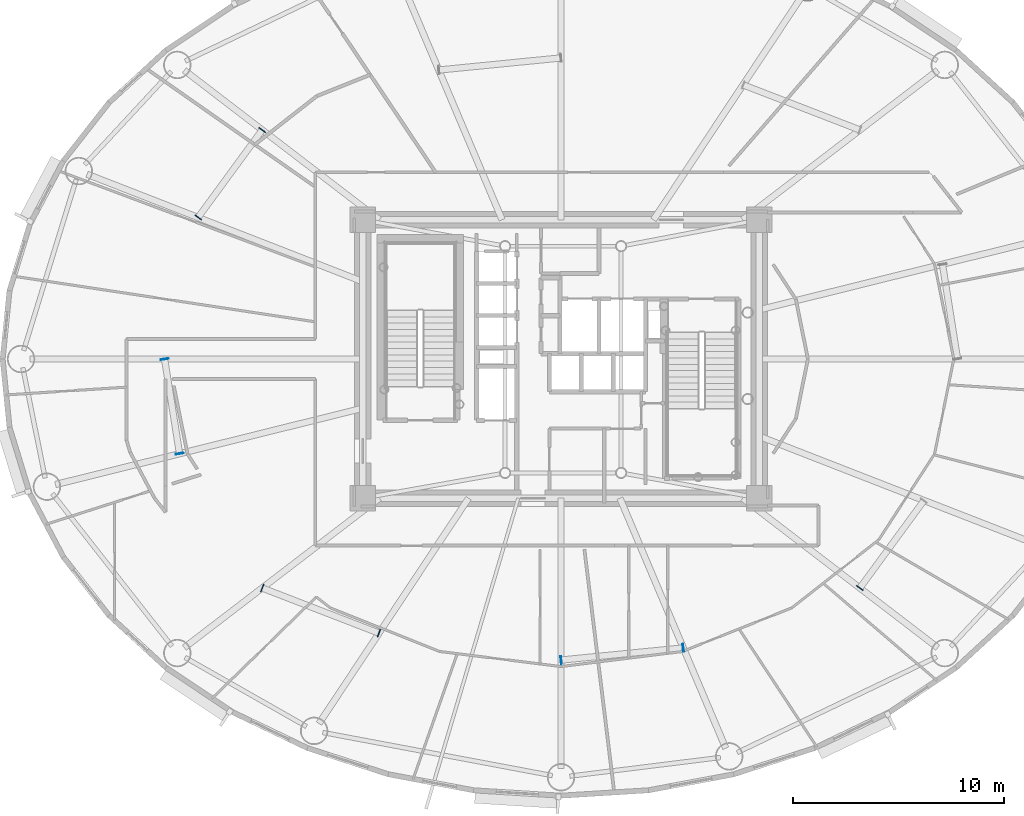
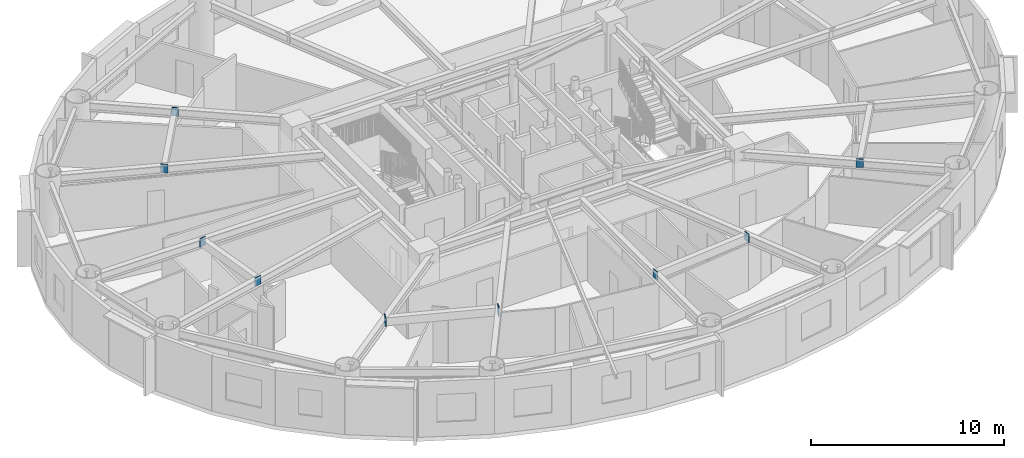
# One storey, part 8 of 21: 9 plates.
"""IFC4 building model written with IfcOpenShell, lengths in metres."""

from ifc_helpers import new_model, si_unit, direction, frame, origin, origin_2d, place, context, subcontext, project, spatial, rectangle, extrude, source, transform, mapped, material, layer, layer_set, type_object, element, save


model = new_model("IFC4")

# Units and contexts
model_context = context("Model", 3, precision=1e-05, world=origin(), true_north=direction((0.0, 1.0)))
body_context = subcontext(model_context, "Body", "Model", "MODEL_VIEW")
ifc_project = project(units=[si_unit("LENGTHUNIT", "METRE"), si_unit("AREAUNIT", "SQUARE_METRE"), si_unit("VOLUMEUNIT", "CUBIC_METRE"), si_unit("PLANEANGLEUNIT", "RADIAN"), si_unit("MASSUNIT", "GRAM", prefix="KILO")], contexts=[model_context])

# Site, building, storey
site_placement = place(None, origin())
site = spatial("IfcSite", under=ifc_project, at=site_placement, CompositionType="ELEMENT")
building_placement = place(site_placement, origin())
building = spatial("IfcBuilding", under=site, at=building_placement, Name="Linh Dai School and Residence Tower", CompositionType="ELEMENT")
storey_placement = place(building_placement, frame((0.0, 0.0, 171.14990234375)))
storey = spatial("IfcBuildingStorey", under=building, at=storey_placement, Name="L41", CompositionType="ELEMENT", Elevation=171.14990234375)

# Plates
ifc_material = material(Name="Structural Steel S355JR", Category="steel")
ifc_layer = layer(ifc_material, 0.0400390625)
ifc_layer_set = layer_set([ifc_layer], Name="Structural Steel S355JR")
plate_type = type_object("IfcPlateType", Name="PLT-GP1", PredefinedType="USERDEFINED", material=ifc_layer_set)
shared_shape = source(origin(), body_context, "Body", "SweptSolid", [
    extrude(rectangle(XDim=0.0400390625, YDim=0.3798828125, at=origin_2d()), origin(), (0.0, 0.0, 1.0), 0.5400390625),
])
for number, where, z_axis, x_axis, name in (
    (1, (21.828125, 37.854248046875, 2.97998046875), (0.0, 0.0, 1.0), (-0.590797317165, -0.806820010926, 0.0), "L41 Secondary Beam End Plate 04A"),
    (2, (18.794677734375, 33.71142578125, 2.97998046875), (0.0, 0.0, 1.0), (-0.590797317165, -0.806820010926, 0.0), "L41 Secondary Beam End Plate 04B"),
    (3, (17.204833984375, 26.9951171875, 2.97998046875), (0.0, 0.0, 1.0), (0.156309354655, -0.987708148011, 0.0), "L41 Secondary Beam End Plate 05A"),
    (4, (17.9140625, 22.513427734375, 2.97998046875), (0.0, 0.0, 1.0), (0.156309354655, -0.987708148011, 0.0), "L41 Secondary Beam End Plate 05B"),
    (5, (21.8359375, 16.139892578125, 2.97998046875), (0.0, 0.0, 1.0), (0.932822787929, -0.36033546359, 0.0), "L41 Secondary Beam End Plate 06A"),
    (6, (27.36572265625, 14.00390625, 2.97998046875), (0.0, 0.0, 1.0), (0.932822787929, -0.36033546359, 0.0), "L41 Secondary Beam End Plate 06B"),
    (7, (36.0048828125, 12.72705078125, 2.97998046875), (0.0, 0.0, 1.0), (0.995144649372, 0.098423202682, 0.0), "L41 Secondary Beam End Plate 07A"),
    (8, (41.79248046875, 13.299560546875, 2.97998046875), (0.0, 0.0, 1.0), (0.995144649372, 0.098423202682, 0.0), "L41 Secondary Beam End Plate 07B"),
    (9, (50.171875, 16.145751953125, 2.97998046875), (0.0, 0.0, 1.0), (0.590797317165, 0.806820010926, 0.0), "L41 Secondary Beam End Plate 08A"),
):
    element("IfcPlate", number, at=place(storey_placement, frame(where, z_axis=z_axis, x_axis=x_axis)), inside=storey, type_object=plate_type, Name=name, ObjectType="GUSSET PLATE", PredefinedType="USERDEFINED", context=body_context, shape_type="MappedRepresentation", body=[
        mapped(shared_shape, transform((0.0, 0.0, 0.0), x_axis=(1.0, 0.0, 0.0), y_axis=(0.0, 1.0, 0.0), z_axis=(0.0, 0.0, 1.0), scale=1.0)),
    ])

save(model, "model.ifc")
